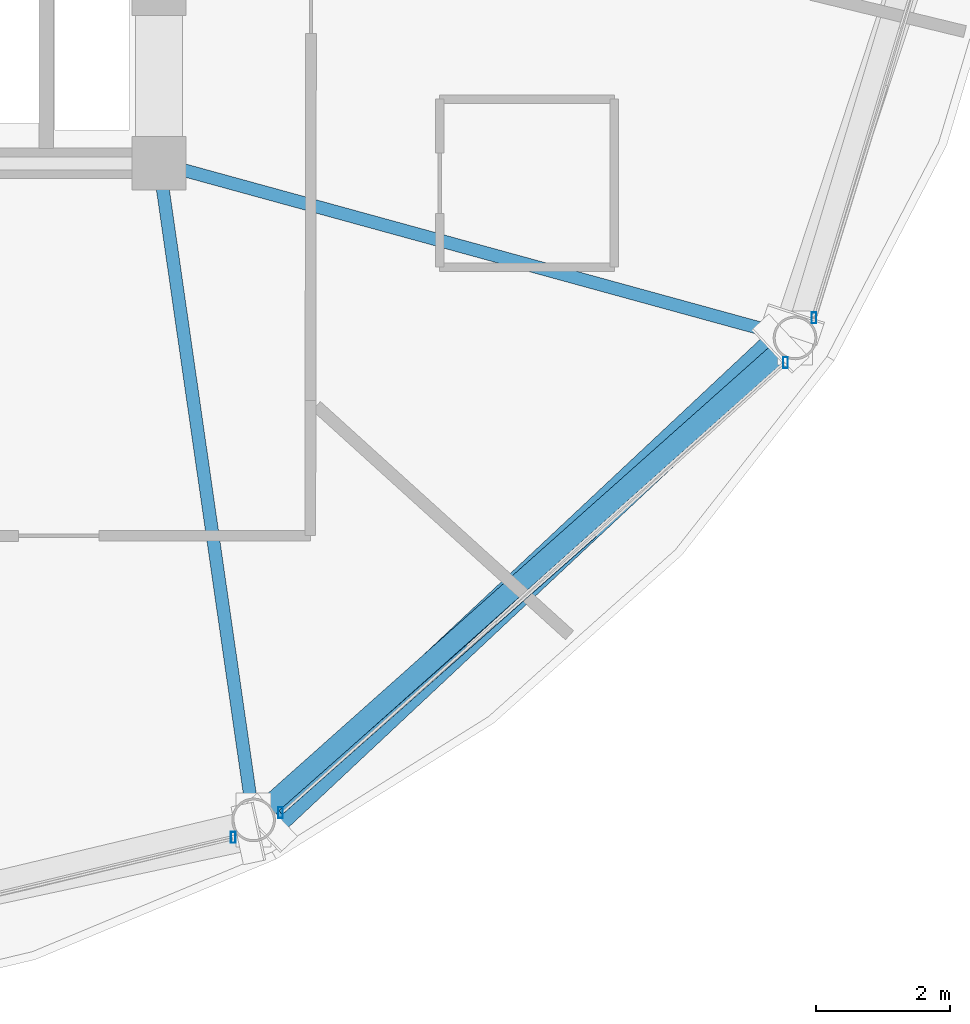
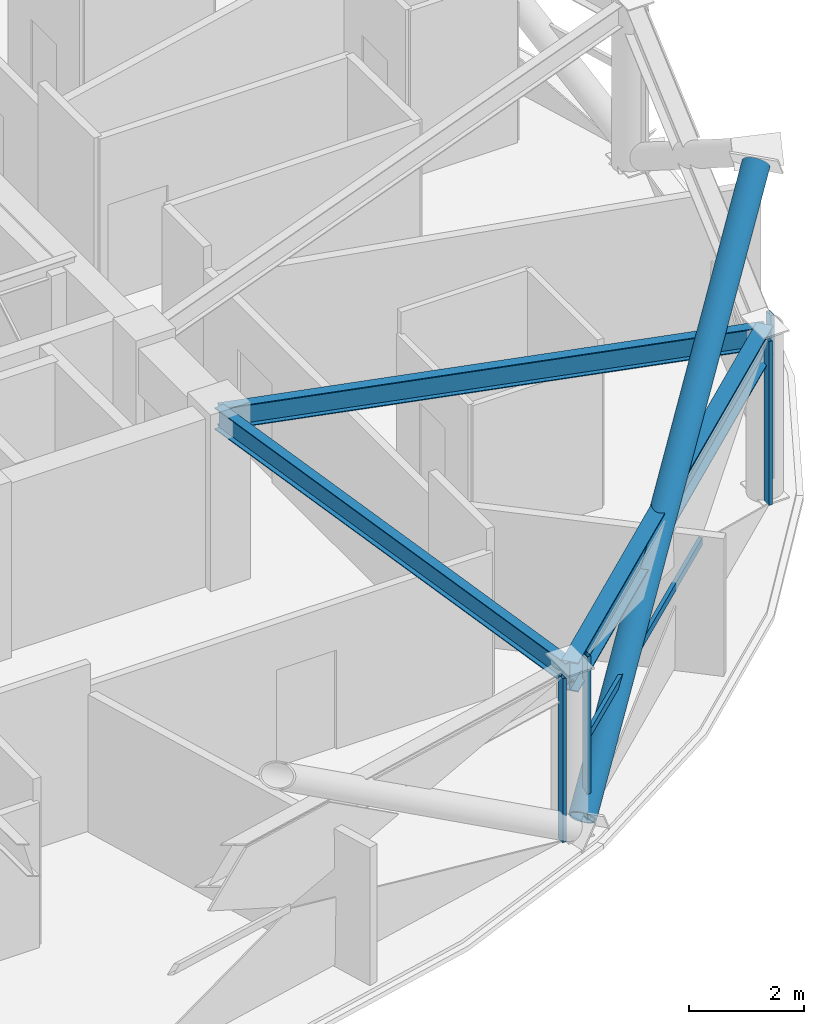
# One storey, part 11 of 29: 6 members, 3 beams, 3 elements without a shape of their own.
"""IFC4 building model written with IfcOpenShell, lengths in metres."""

from ifc_helpers import new_model, si_unit, direction, frame, origin, origin_2d, place, context, subcontext, project, spatial, hollow_rectangle, hollow_circle, i_section, extrude, material, layer, layer_set, material_profile, profile_set, type_object, element, aggregate, save


model = new_model("IFC4")

# Units and contexts
model_context = context("Model", 3, precision=1e-05, world=origin(), true_north=direction((0.0, 1.0)))
body_context = subcontext(model_context, "Body", "Model", "MODEL_VIEW")
ifc_project = project(units=[si_unit("LENGTHUNIT", "METRE"), si_unit("AREAUNIT", "SQUARE_METRE"), si_unit("VOLUMEUNIT", "CUBIC_METRE"), si_unit("PLANEANGLEUNIT", "RADIAN"), si_unit("MASSUNIT", "GRAM", prefix="KILO")], contexts=[model_context])

# Site, building, storey
site_placement = place(None, origin())
site = spatial("IfcSite", under=ifc_project, at=site_placement, CompositionType="ELEMENT")
building_placement = place(site_placement, origin())
building = spatial("IfcBuilding", under=site, at=building_placement, Name="Vantalir Tower", CompositionType="ELEMENT")
storey_placement = place(building_placement, frame((0.0, 0.0, 227.39990234375)))
storey = spatial("IfcBuildingStorey", under=building, at=storey_placement, Name="L57", CompositionType="ELEMENT", Elevation=227.39990234375)

# Beams
ifc_material_1 = material(Name="Steel S355", Category="steel")
ifc_material_profile_1 = material_profile(ifc_material_1, i_section(OverallWidth=0.19189453125, OverallDepth=0.462890625, WebThickness=0.010498046875, FlangeThickness=0.017578125, at=origin_2d()), Name="Steel S355")
ifc_profile_set_1 = profile_set([ifc_material_profile_1], Name="Steel S355")
beam_type_1 = type_object("IfcBeamType", Name="BM-RB-457x191", PredefinedType="BEAM", material=ifc_profile_set_1)
beam_1_placement = place(storey_placement, frame((42.506103515625, 8.029052734375, 3.338134765625), z_axis=(-0.142428845266, 0.989805043449, 0.0), x_axis=(-0.989805043449, -0.142428845266, 0.0)))
element("IfcBeam", 1, at=beam_1_placement, inside=storey, type_object=beam_type_1, Name="L57 Radial Floor Beam 11", PredefinedType="BEAM", context=body_context, shape_type="SweptSolid", body=[
    extrude(i_section(OverallWidth=0.19189453125, OverallDepth=0.462890625, WebThickness=0.010498046875, FlangeThickness=0.017578125, at=origin_2d()), origin(), (0.0, 0.0, 1.0), 9.87158203125),
])
beam_2_placement = place(storey_placement, frame((50.56396484375, 15.201904296875, 3.338134765625), z_axis=(-0.964320419913, 0.264737847196, 0.0), x_axis=(-0.264737847196, -0.964320419913, 0.0)))
element("IfcBeam", 2, at=beam_2_placement, inside=storey, type_object=beam_type_1, Name="L57 Radial Floor Beam 12", PredefinedType="BEAM", context=body_context, shape_type="SweptSolid", body=[
    extrude(i_section(OverallWidth=0.19189453125, OverallDepth=0.462890625, WebThickness=0.010498046875, FlangeThickness=0.017578125, at=origin_2d()), origin(), (0.0, 0.0, 1.0), 9.81396484375),
])
ifc_material_2 = material(Name="Steel S460", Category="steel")
ifc_material_profile_2 = material_profile(ifc_material_2, i_section(OverallWidth=0.306884765625, OverallDepth=0.6201171875, WebThickness=0.01416015625, FlangeThickness=0.023681640625, at=origin_2d()), Name="Steel S460")
ifc_profile_set_2 = profile_set([ifc_material_profile_2], Name="Steel S460")
beam_type_2 = type_object("IfcBeamType", Name="BM-RG-610x305", PredefinedType="USERDEFINED", material=ifc_profile_set_2)
beam_3_placement = place(storey_placement, frame((42.506103515625, 8.029052734375, 3.260009765625), z_axis=(0.746934658409, 0.664897447782, 0.0), x_axis=(-0.664897447782, 0.746934658409, 0.0)))
element("IfcBeam", 3, at=beam_3_placement, inside=storey, type_object=beam_type_2, Name="L57 Circumferential Ring Girder 11", ObjectType="GIRDER", PredefinedType="USERDEFINED", context=body_context, shape_type="SweptSolid", body=[
    extrude(i_section(OverallWidth=0.306884765625, OverallDepth=0.6201171875, WebThickness=0.01416015625, FlangeThickness=0.023681640625, at=origin_2d()), origin(), (0.0, 0.0, 1.0), 10.787841796875),
])

# Curtain wall, member
ifc_material_3 = material(Name="Champagne-silver PVDF aluminium and double-silver Low-E glass", Category="aluminium")
ifc_layer = layer(ifc_material_3, 0.2099609375)
ifc_layer_set = layer_set([ifc_layer], Name="Champagne-silver PVDF aluminium and double-silver Low-E glass")
curtain_wall_type = type_object("IfcCurtainWallType", Name="CW-DIAMOND-Z3", PredefinedType="USERDEFINED", material=ifc_layer_set)
curtain_wall_1_placement = place(storey_placement, origin())
curtain_wall_1 = element("IfcCurtainWall", 4, at=curtain_wall_1_placement, inside=storey, type_object=curtain_wall_type, Name="L57 Quilted Pyramid-Diamond Curtain Wall S10", ObjectType="UNITISED CURTAIN WALL", PredefinedType="USERDEFINED")
ifc_material_4 = material(Name="Champagne-silver PVDF aluminium 6063-T6", Category="aluminium")
ifc_material_profile_3 = material_profile(ifc_material_4, hollow_rectangle(XDim=0.070068359375, YDim=0.1650390625, WallThickness=0.00390625, at=origin_2d()), Name="Champagne-silver PVDF aluminium 6063-T6")
ifc_profile_set_3 = profile_set([ifc_material_profile_3], Name="Champagne-silver PVDF aluminium 6063-T6")
member_type_1 = type_object("IfcMemberType", Name="CWM-165x70", PredefinedType="MULLION", material=ifc_profile_set_3)
member_1_placement = place(storey_placement, frame((42.202880859375, 7.77001953125, 0.045166015625), z_axis=(0.0, 0.0, 1.0), x_axis=(1.0, 0.0, 0.0)))
member_1 = element("IfcMember", 5, at=member_1_placement, type_object=member_type_1, Name="CW-L57-S10 Mullion 2", PredefinedType="MULLION", context=body_context, shape_type="SweptSolid", body=[
    extrude(hollow_rectangle(XDim=0.070068359375, YDim=0.1650390625, WallThickness=0.00390625, at=origin_2d()), origin(), (0.0, 0.0, 1.0), 3.47998046875),
])
aggregate(curtain_wall_1, [member_1])

# Curtain wall, members
curtain_wall_2_placement = place(storey_placement, origin())
curtain_wall_2 = element("IfcCurtainWall", 6, at=curtain_wall_2_placement, inside=storey, type_object=curtain_wall_type, Name="L57 Quilted Pyramid-Diamond Curtain Wall S11", ObjectType="UNITISED CURTAIN WALL", PredefinedType="USERDEFINED")
member_2_placement = place(storey_placement, frame((42.907958984375, 8.137939453125, 0.045166015625), z_axis=(0.0, 0.0, 1.0), x_axis=(1.0, 0.0, 0.0)))
member_2 = element("IfcMember", 7, at=member_2_placement, type_object=member_type_1, Name="CW-L57-S11 Mullion 1", PredefinedType="MULLION", context=body_context, shape_type="SweptSolid", body=[
    extrude(hollow_rectangle(XDim=0.070068359375, YDim=0.1650390625, WallThickness=0.00390625, at=origin_2d()), origin(), (0.0, 0.0, 1.0), 3.47998046875),
])
member_3_placement = place(storey_placement, frame((50.422119140625, 14.833984375, 0.045166015625), z_axis=(0.0, 0.0, 1.0), x_axis=(1.0, 0.0, 0.0)))
member_3 = element("IfcMember", 8, at=member_3_placement, type_object=member_type_1, Name="CW-L57-S11 Mullion 2", PredefinedType="MULLION", context=body_context, shape_type="SweptSolid", body=[
    extrude(hollow_rectangle(XDim=0.070068359375, YDim=0.1650390625, WallThickness=0.00390625, at=origin_2d()), origin(), (0.0, 0.0, 1.0), 3.47998046875),
])

# Curtain wall, member
curtain_wall_3_placement = place(storey_placement, origin())
curtain_wall_3 = element("IfcCurtainWall", 9, at=curtain_wall_3_placement, inside=storey, type_object=curtain_wall_type, Name="L57 Quilted Pyramid-Diamond Curtain Wall S12", ObjectType="UNITISED CURTAIN WALL", PredefinedType="USERDEFINED")
member_4_placement = place(storey_placement, frame((50.845947265625, 15.5, 0.045166015625), z_axis=(0.0, 0.0, 1.0), x_axis=(1.0, 0.0, 0.0)))
member_4 = element("IfcMember", 10, at=member_4_placement, type_object=member_type_1, Name="CW-L57-S12 Mullion 1", PredefinedType="MULLION", context=body_context, shape_type="SweptSolid", body=[
    extrude(hollow_rectangle(XDim=0.070068359375, YDim=0.1650390625, WallThickness=0.00390625, at=origin_2d()), origin(), (0.0, 0.0, 1.0), 3.47998046875),
])
aggregate(curtain_wall_3, [member_4])

# Member
ifc_material_profile_4 = material_profile(ifc_material_4, hollow_rectangle(XDim=0.074951171875, YDim=0.159912109375, WallThickness=0.00390625, at=origin_2d()), Name="Champagne-silver PVDF aluminium 6063-T6")
ifc_profile_set_4 = profile_set([ifc_material_profile_4], Name="Champagne-silver PVDF aluminium 6063-T6")
member_type_2 = type_object("IfcMemberType", Name="CWT-160x75", PredefinedType="USERDEFINED", material=ifc_profile_set_4)
member_5_placement = place(storey_placement, frame((42.907958984375, 8.137939453125, 1.78515625), z_axis=(0.749027159809, 0.66253929232, 0.0), x_axis=(-0.66253929232, 0.749027159809, 0.0)))
member_5 = element("IfcMember", 11, at=member_5_placement, type_object=member_type_2, Name="CW-L57-S11 Pyramid Fold Ridge Transom", ObjectType="TRANSOM", PredefinedType="USERDEFINED", context=body_context, shape_type="SweptSolid", body=[
    extrude(hollow_rectangle(XDim=0.074951171875, YDim=0.159912109375, WallThickness=0.00390625, at=origin_2d()), origin(), (0.0, 0.0, 1.0), 6.244140625),
])

aggregate(curtain_wall_2, [member_2, member_3, member_5])

ifc_material_profile_5 = material_profile(ifc_material_2, hollow_circle(Radius=0.25, WallThickness=0.031982421875, at=origin_2d()), Name="Steel S460")
ifc_profile_set_5 = profile_set([ifc_material_profile_5], Name="Steel S460")
member_type_3 = type_object("IfcMemberType", Name="MEM-DB-500x32", PredefinedType="BRACE", material=ifc_profile_set_5)
member_6_placement = place(storey_placement, frame((42.736083984375, 7.989990234375, 0.2021484375), z_axis=(0.607998854352, 0.569615778517, 0.553059904505), x_axis=(-0.683696329483, 0.729766626431, 0.0)))
element("IfcMember", 12, at=member_6_placement, inside=storey, type_object=member_type_3, Name="L57 Perimeter S460 Diagrid Brace R31L", PredefinedType="BRACE", context=body_context, shape_type="SweptSolid", body=[
    extrude(hollow_circle(Radius=0.25, WallThickness=0.031982421875, at=origin_2d()), origin(), (0.0, 0.0, 1.0), 12.5048828125),
])

save(model, "model.ifc")
